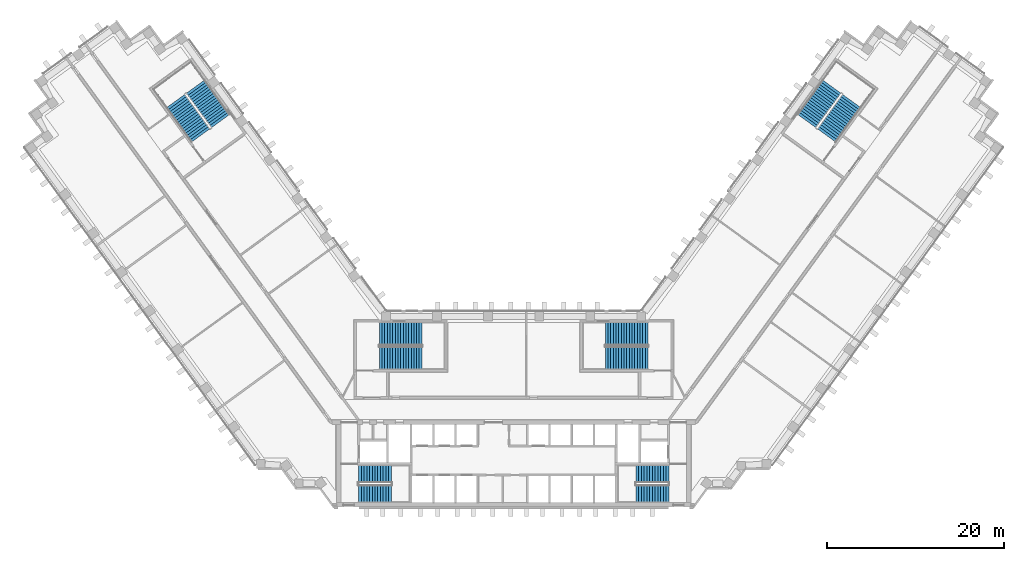
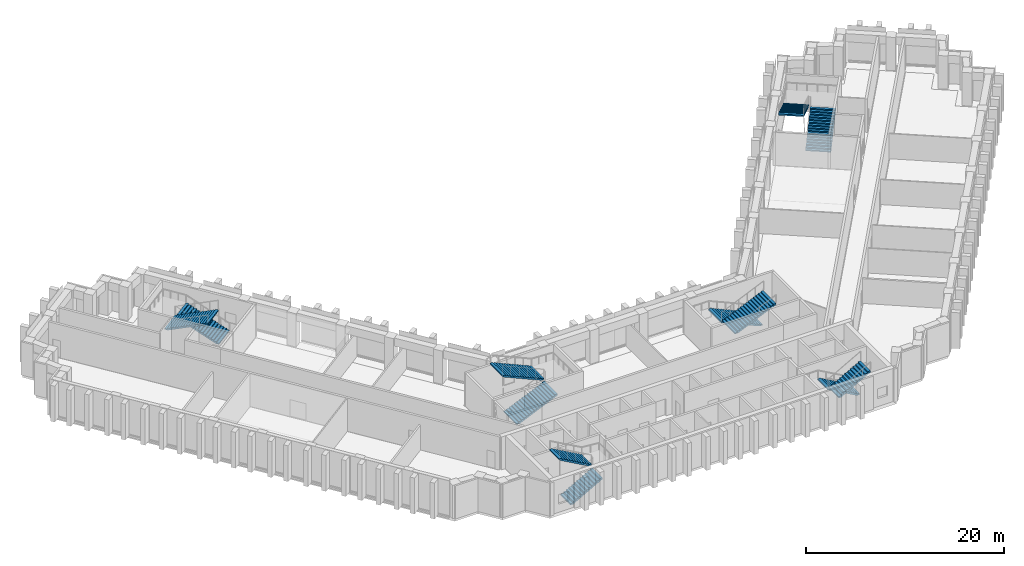
# One storey, part 12 of 15: 12 stair flights, 6 elements without a shape of their own.
"""IFC4 building model written with IfcOpenShell, lengths in metres."""

from ifc_helpers import new_model, si_unit, direction, frame, origin, place, context, subcontext, project, spatial, polyline, outline, extrude, material, type_object, element, aggregate, save


model = new_model("IFC4")

# Units and contexts
model_context = context("Model", 3, precision=1e-05, world=origin(), true_north=direction((0.0, 1.0)))
body_context = subcontext(model_context, "Body", "Model", "MODEL_VIEW")
ifc_project = project(units=[si_unit("LENGTHUNIT", "METRE"), si_unit("AREAUNIT", "SQUARE_METRE"), si_unit("VOLUMEUNIT", "CUBIC_METRE"), si_unit("PLANEANGLEUNIT", "RADIAN"), si_unit("MASSUNIT", "GRAM", prefix="KILO")], contexts=[model_context])

# Site, building, storey
site_placement = place(None, origin())
site = spatial("IfcSite", under=ifc_project, at=site_placement, CompositionType="ELEMENT")
building_placement = place(site_placement, origin())
building = spatial("IfcBuilding", under=site, at=building_placement, Name="Quipu Civic Tower", CompositionType="ELEMENT")
storey_placement = place(building_placement, frame((0.0, 0.0, 11.5)))
storey = spatial("IfcBuildingStorey", under=building, at=storey_placement, Name="L02", CompositionType="ELEMENT", Elevation=11.5)

# Stair, stair flights
ifc_material_1 = material(Name="Concrete C40/50", Category="concrete")
stair_type_1 = type_object("IfcStairType", Name="Half turn stair 2000", PredefinedType="HALF_TURN_STAIR", material=ifc_material_1)
stair_1_placement = place(storey_placement, origin())
stair_1 = element("IfcStair", 1, at=stair_1_placement, inside=storey, type_object=stair_type_1, Name="Exit stair 1", PredefinedType="HALF_TURN_STAIR")
ifc_material_2 = material(Name="Concrete C40/50", Category="concrete")
stair_flight_type_1 = type_object("IfcStairFlightType", Name="Stair flight 2000", PredefinedType="STRAIGHT", material=ifc_material_2)
stair_flight_1_placement = place(storey_placement, frame((-17.5, -9.5, 0.0), z_axis=(0.0, 0.0, 1.0), x_axis=(1.0, 0.0, 0.0)))
stair_flight_1 = element("IfcStairFlight", 2, at=stair_flight_1_placement, type_object=stair_flight_type_1, Name="ST-1 flight 1", NumberOfRisers=13, NumberOfTreads=12, PredefinedType="STRAIGHT", RiserHeight=0.173076923, TreadLength=0.31, context=body_context, shape_type="SweptSolid", body=[
    extrude(outline(polyline([(0.0, 0.0), (0.0, 0.173095703125), (0.31005859375, 0.173095703125), (0.31005859375, 0.34619140625), (0.6201171875, 0.34619140625), (0.6201171875, 0.519287109375), (0.929931640625, 0.519287109375), (0.929931640625, 0.6923828125), (1.239990234375, 0.6923828125), (1.239990234375, 0.865478515625), (1.550048828125, 0.865478515625), (1.550048828125, 1.03857421875), (1.860107421875, 1.03857421875), (1.860107421875, 1.21142578125), (2.169921875, 1.21142578125), (2.169921875, 1.384521484375), (2.47998046875, 1.384521484375), (2.47998046875, 1.5576171875), (2.7900390625, 1.5576171875), (2.7900390625, 1.730712890625), (3.10009765625, 1.730712890625), (3.10009765625, 1.90380859375), (3.409912109375, 1.90380859375), (3.409912109375, 2.076904296875), (3.719970703125, 2.076904296875), (3.719970703125, 2.25), (3.719970703125, 1.9052734375), (0.3076171875, 0.0), (0.0, 0.0)])), frame((0.0, 1.0, 0.0), z_axis=(0.0, -1.0, 0.0), x_axis=(1.0, 0.0, 0.0)), (0.0, 0.0, 1.0), 2.0),
])
stair_flight_2_placement = place(storey_placement, frame((-13.780029296875, -7.25, 2.25), z_axis=(0.0, 0.0, 1.0), x_axis=(-1.0, 0.0, 0.0)))
stair_flight_2 = element("IfcStairFlight", 3, at=stair_flight_2_placement, type_object=stair_flight_type_1, Name="ST-1 flight 2", NumberOfRisers=13, NumberOfTreads=12, PredefinedType="STRAIGHT", RiserHeight=0.173076923, TreadLength=0.31, context=body_context, shape_type="SweptSolid", body=[
    extrude(outline(polyline([(0.0, 0.0), (0.0, 0.173095703125), (0.31005859375, 0.173095703125), (0.31005859375, 0.34619140625), (0.6201171875, 0.34619140625), (0.6201171875, 0.519287109375), (0.929931640625, 0.519287109375), (0.929931640625, 0.6923828125), (1.239990234375, 0.6923828125), (1.239990234375, 0.865478515625), (1.550048828125, 0.865478515625), (1.550048828125, 1.03857421875), (1.860107421875, 1.03857421875), (1.860107421875, 1.21142578125), (2.169921875, 1.21142578125), (2.169921875, 1.384521484375), (2.47998046875, 1.384521484375), (2.47998046875, 1.5576171875), (2.7900390625, 1.5576171875), (2.7900390625, 1.730712890625), (3.10009765625, 1.730712890625), (3.10009765625, 1.90380859375), (3.409912109375, 1.90380859375), (3.409912109375, 2.076904296875), (3.719970703125, 2.076904296875), (3.719970703125, 2.25), (3.719970703125, 1.9052734375), (0.3076171875, 0.0), (0.0, 0.0)])), frame((0.0, 1.0, 0.0), z_axis=(0.0, -1.0, 0.0), x_axis=(1.0, 0.0, 0.0)), (0.0, 0.0, 1.0), 2.0),
])
aggregate(stair_1, [stair_flight_1, stair_flight_2])

stair_2_placement = place(storey_placement, origin())
stair_2 = element("IfcStair", 4, at=stair_2_placement, inside=storey, type_object=stair_type_1, Name="Exit stair 2", PredefinedType="HALF_TURN_STAIR")
stair_flight_3_placement = place(storey_placement, frame((17.5, -7.25, 0.0), z_axis=(0.0, 0.0, 1.0), x_axis=(-1.0, 0.0, 0.0)))
stair_flight_3 = element("IfcStairFlight", 5, at=stair_flight_3_placement, type_object=stair_flight_type_1, Name="ST-2 flight 1", NumberOfRisers=13, NumberOfTreads=12, PredefinedType="STRAIGHT", RiserHeight=0.173076923, TreadLength=0.31, context=body_context, shape_type="SweptSolid", body=[
    extrude(outline(polyline([(0.0, 0.0), (0.0, 0.173095703125), (0.31005859375, 0.173095703125), (0.31005859375, 0.34619140625), (0.6201171875, 0.34619140625), (0.6201171875, 0.519287109375), (0.929931640625, 0.519287109375), (0.929931640625, 0.6923828125), (1.239990234375, 0.6923828125), (1.239990234375, 0.865478515625), (1.550048828125, 0.865478515625), (1.550048828125, 1.03857421875), (1.860107421875, 1.03857421875), (1.860107421875, 1.21142578125), (2.169921875, 1.21142578125), (2.169921875, 1.384521484375), (2.47998046875, 1.384521484375), (2.47998046875, 1.5576171875), (2.7900390625, 1.5576171875), (2.7900390625, 1.730712890625), (3.10009765625, 1.730712890625), (3.10009765625, 1.90380859375), (3.409912109375, 1.90380859375), (3.409912109375, 2.076904296875), (3.719970703125, 2.076904296875), (3.719970703125, 2.25), (3.719970703125, 1.9052734375), (0.3076171875, 0.0), (0.0, 0.0)])), frame((0.0, 1.0, 0.0), z_axis=(0.0, -1.0, 0.0), x_axis=(1.0, 0.0, 0.0)), (0.0, 0.0, 1.0), 2.0),
])
stair_flight_4_placement = place(storey_placement, frame((13.780029296875, -9.5, 2.25), z_axis=(0.0, 0.0, 1.0), x_axis=(1.0, 0.0, 0.0)))
stair_flight_4 = element("IfcStairFlight", 6, at=stair_flight_4_placement, type_object=stair_flight_type_1, Name="ST-2 flight 2", NumberOfRisers=13, NumberOfTreads=12, PredefinedType="STRAIGHT", RiserHeight=0.173076923, TreadLength=0.31, context=body_context, shape_type="SweptSolid", body=[
    extrude(outline(polyline([(0.0, 0.0), (0.0, 0.173095703125), (0.31005859375, 0.173095703125), (0.31005859375, 0.34619140625), (0.6201171875, 0.34619140625), (0.6201171875, 0.519287109375), (0.929931640625, 0.519287109375), (0.929931640625, 0.6923828125), (1.239990234375, 0.6923828125), (1.239990234375, 0.865478515625), (1.550048828125, 0.865478515625), (1.550048828125, 1.03857421875), (1.860107421875, 1.03857421875), (1.860107421875, 1.21142578125), (2.169921875, 1.21142578125), (2.169921875, 1.384521484375), (2.47998046875, 1.384521484375), (2.47998046875, 1.5576171875), (2.7900390625, 1.5576171875), (2.7900390625, 1.730712890625), (3.10009765625, 1.730712890625), (3.10009765625, 1.90380859375), (3.409912109375, 1.90380859375), (3.409912109375, 2.076904296875), (3.719970703125, 2.076904296875), (3.719970703125, 2.25), (3.719970703125, 1.9052734375), (0.3076171875, 0.0), (0.0, 0.0)])), frame((0.0, 1.0, 0.0), z_axis=(0.0, -1.0, 0.0), x_axis=(1.0, 0.0, 0.0)), (0.0, 0.0, 1.0), 2.0),
])
aggregate(stair_2, [stair_flight_3, stair_flight_4])

ifc_material_3 = material(Name="Concrete C40/50", Category="concrete")
stair_type_2 = type_object("IfcStairType", Name="Half turn stair 2600", PredefinedType="HALF_TURN_STAIR", material=ifc_material_3)
stair_3_placement = place(storey_placement, origin())
stair_3 = element("IfcStair", 7, at=stair_3_placement, inside=storey, type_object=stair_type_2, Name="Exit stair 3", PredefinedType="HALF_TURN_STAIR")
ifc_material_4 = material(Name="Concrete C40/50", Category="concrete")
stair_flight_type_2 = type_object("IfcStairFlightType", Name="Stair flight 2600", PredefinedType="STRAIGHT", material=ifc_material_4)
stair_flight_5_placement = place(storey_placement, frame((-15.14990234375, 5.800048828125, 0.0), z_axis=(0.0, 0.0, 1.0), x_axis=(1.0, 0.0, 0.0)))
stair_flight_5 = element("IfcStairFlight", 8, at=stair_flight_5_placement, type_object=stair_flight_type_2, Name="ST-3 flight 1", NumberOfRisers=17, NumberOfTreads=16, PredefinedType="STRAIGHT", RiserHeight=0.132352941, TreadLength=0.3, context=body_context, shape_type="SweptSolid", body=[
    extrude(outline(polyline([(0.0, 0.0), (0.0, 0.13232421875), (0.300048828125, 0.13232421875), (0.300048828125, 0.2646484375), (0.60009765625, 0.2646484375), (0.60009765625, 0.39697265625), (0.89990234375, 0.39697265625), (0.89990234375, 0.529296875), (1.199951171875, 0.529296875), (1.199951171875, 0.661865234375), (1.5, 0.661865234375), (1.5, 0.794189453125), (1.800048828125, 0.794189453125), (1.800048828125, 0.926513671875), (2.10009765625, 0.926513671875), (2.10009765625, 1.058837890625), (2.39990234375, 1.058837890625), (2.39990234375, 1.191162109375), (2.699951171875, 1.191162109375), (2.699951171875, 1.323486328125), (3.0, 1.323486328125), (3.0, 1.455810546875), (3.300048828125, 1.455810546875), (3.300048828125, 1.588134765625), (3.60009765625, 1.588134765625), (3.60009765625, 1.720703125), (3.89990234375, 1.720703125), (3.89990234375, 1.85302734375), (4.199951171875, 1.85302734375), (4.199951171875, 1.9853515625), (4.5, 1.9853515625), (4.5, 2.11767578125), (4.800048828125, 2.11767578125), (4.800048828125, 2.25), (4.800048828125, 1.953857421875), (0.371337890625, 0.0), (0.0, 0.0)])), frame((0.0, 1.300048828125, 0.0), z_axis=(0.0, -1.0, 0.0), x_axis=(1.0, 0.0, 0.0)), (0.0, 0.0, 1.0), 2.60009765625),
])
stair_flight_6_placement = place(storey_placement, frame((-10.35009765625, 8.550048828125, 2.25), z_axis=(0.0, 0.0, 1.0), x_axis=(-1.0, 0.0, 0.0)))
stair_flight_6 = element("IfcStairFlight", 9, at=stair_flight_6_placement, type_object=stair_flight_type_2, Name="ST-3 flight 2", NumberOfRisers=17, NumberOfTreads=16, PredefinedType="STRAIGHT", RiserHeight=0.132352941, TreadLength=0.3, context=body_context, shape_type="SweptSolid", body=[
    extrude(outline(polyline([(0.0, 0.0), (0.0, 0.13232421875), (0.300048828125, 0.13232421875), (0.300048828125, 0.2646484375), (0.60009765625, 0.2646484375), (0.60009765625, 0.39697265625), (0.89990234375, 0.39697265625), (0.89990234375, 0.529296875), (1.199951171875, 0.529296875), (1.199951171875, 0.661865234375), (1.5, 0.661865234375), (1.5, 0.794189453125), (1.800048828125, 0.794189453125), (1.800048828125, 0.926513671875), (2.10009765625, 0.926513671875), (2.10009765625, 1.058837890625), (2.39990234375, 1.058837890625), (2.39990234375, 1.191162109375), (2.699951171875, 1.191162109375), (2.699951171875, 1.323486328125), (3.0, 1.323486328125), (3.0, 1.455810546875), (3.300048828125, 1.455810546875), (3.300048828125, 1.588134765625), (3.60009765625, 1.588134765625), (3.60009765625, 1.720703125), (3.89990234375, 1.720703125), (3.89990234375, 1.85302734375), (4.199951171875, 1.85302734375), (4.199951171875, 1.9853515625), (4.5, 1.9853515625), (4.5, 2.11767578125), (4.800048828125, 2.11767578125), (4.800048828125, 2.25), (4.800048828125, 1.953857421875), (0.371337890625, 0.0), (0.0, 0.0)])), frame((0.0, 1.300048828125, 0.0), z_axis=(0.0, -1.0, 0.0), x_axis=(1.0, 0.0, 0.0)), (0.0, 0.0, 1.0), 2.60009765625),
])
aggregate(stair_3, [stair_flight_5, stair_flight_6])

stair_4_placement = place(storey_placement, origin())
stair_4 = element("IfcStair", 10, at=stair_4_placement, inside=storey, type_object=stair_type_2, Name="Exit stair 4", PredefinedType="HALF_TURN_STAIR")
stair_flight_7_placement = place(storey_placement, frame((15.14990234375, 8.550048828125, 0.0), z_axis=(0.0, 0.0, 1.0), x_axis=(-1.0, 0.0, 0.0)))
stair_flight_7 = element("IfcStairFlight", 11, at=stair_flight_7_placement, type_object=stair_flight_type_2, Name="ST-4 flight 1", NumberOfRisers=17, NumberOfTreads=16, PredefinedType="STRAIGHT", RiserHeight=0.132352941, TreadLength=0.3, context=body_context, shape_type="SweptSolid", body=[
    extrude(outline(polyline([(0.0, 0.0), (0.0, 0.13232421875), (0.300048828125, 0.13232421875), (0.300048828125, 0.2646484375), (0.60009765625, 0.2646484375), (0.60009765625, 0.39697265625), (0.89990234375, 0.39697265625), (0.89990234375, 0.529296875), (1.199951171875, 0.529296875), (1.199951171875, 0.661865234375), (1.5, 0.661865234375), (1.5, 0.794189453125), (1.800048828125, 0.794189453125), (1.800048828125, 0.926513671875), (2.10009765625, 0.926513671875), (2.10009765625, 1.058837890625), (2.39990234375, 1.058837890625), (2.39990234375, 1.191162109375), (2.699951171875, 1.191162109375), (2.699951171875, 1.323486328125), (3.0, 1.323486328125), (3.0, 1.455810546875), (3.300048828125, 1.455810546875), (3.300048828125, 1.588134765625), (3.60009765625, 1.588134765625), (3.60009765625, 1.720703125), (3.89990234375, 1.720703125), (3.89990234375, 1.85302734375), (4.199951171875, 1.85302734375), (4.199951171875, 1.9853515625), (4.5, 1.9853515625), (4.5, 2.11767578125), (4.800048828125, 2.11767578125), (4.800048828125, 2.25), (4.800048828125, 1.953857421875), (0.371337890625, 0.0), (0.0, 0.0)])), frame((0.0, 1.300048828125, 0.0), z_axis=(0.0, -1.0, 0.0), x_axis=(1.0, 0.0, 0.0)), (0.0, 0.0, 1.0), 2.60009765625),
])
stair_flight_8_placement = place(storey_placement, frame((10.35009765625, 5.800048828125, 2.25), z_axis=(0.0, 0.0, 1.0), x_axis=(1.0, 0.0, 0.0)))
stair_flight_8 = element("IfcStairFlight", 12, at=stair_flight_8_placement, type_object=stair_flight_type_2, Name="ST-4 flight 2", NumberOfRisers=17, NumberOfTreads=16, PredefinedType="STRAIGHT", RiserHeight=0.132352941, TreadLength=0.3, context=body_context, shape_type="SweptSolid", body=[
    extrude(outline(polyline([(0.0, 0.0), (0.0, 0.13232421875), (0.300048828125, 0.13232421875), (0.300048828125, 0.2646484375), (0.60009765625, 0.2646484375), (0.60009765625, 0.39697265625), (0.89990234375, 0.39697265625), (0.89990234375, 0.529296875), (1.199951171875, 0.529296875), (1.199951171875, 0.661865234375), (1.5, 0.661865234375), (1.5, 0.794189453125), (1.800048828125, 0.794189453125), (1.800048828125, 0.926513671875), (2.10009765625, 0.926513671875), (2.10009765625, 1.058837890625), (2.39990234375, 1.058837890625), (2.39990234375, 1.191162109375), (2.699951171875, 1.191162109375), (2.699951171875, 1.323486328125), (3.0, 1.323486328125), (3.0, 1.455810546875), (3.300048828125, 1.455810546875), (3.300048828125, 1.588134765625), (3.60009765625, 1.588134765625), (3.60009765625, 1.720703125), (3.89990234375, 1.720703125), (3.89990234375, 1.85302734375), (4.199951171875, 1.85302734375), (4.199951171875, 1.9853515625), (4.5, 1.9853515625), (4.5, 2.11767578125), (4.800048828125, 2.11767578125), (4.800048828125, 2.25), (4.800048828125, 1.953857421875), (0.371337890625, 0.0), (0.0, 0.0)])), frame((0.0, 1.300048828125, 0.0), z_axis=(0.0, -1.0, 0.0), x_axis=(1.0, 0.0, 0.0)), (0.0, 0.0, 1.0), 2.60009765625),
])
aggregate(stair_4, [stair_flight_7, stair_flight_8])

stair_5_placement = place(storey_placement, origin())
stair_5 = element("IfcStair", 13, at=stair_5_placement, inside=storey, type_object=stair_type_2, Name="Exit stair 6", PredefinedType="HALF_TURN_STAIR")
stair_flight_9_placement = place(storey_placement, frame((-33.067626953125, 32.5322265625, 0.0), z_axis=(0.0, 0.0, 1.0), x_axis=(-0.587785252292, 0.809016994375, 0.0)))
stair_flight_9 = element("IfcStairFlight", 14, at=stair_flight_9_placement, type_object=stair_flight_type_2, Name="ST-6 flight 1", NumberOfRisers=17, NumberOfTreads=16, PredefinedType="STRAIGHT", RiserHeight=0.132352941, TreadLength=0.3, context=body_context, shape_type="SweptSolid", body=[
    extrude(outline(polyline([(0.0, 0.0), (0.0, 0.13232421875), (0.300048828125, 0.13232421875), (0.300048828125, 0.2646484375), (0.60009765625, 0.2646484375), (0.60009765625, 0.39697265625), (0.89990234375, 0.39697265625), (0.89990234375, 0.529296875), (1.199951171875, 0.529296875), (1.199951171875, 0.661865234375), (1.5, 0.661865234375), (1.5, 0.794189453125), (1.800048828125, 0.794189453125), (1.800048828125, 0.926513671875), (2.10009765625, 0.926513671875), (2.10009765625, 1.058837890625), (2.39990234375, 1.058837890625), (2.39990234375, 1.191162109375), (2.699951171875, 1.191162109375), (2.699951171875, 1.323486328125), (3.0, 1.323486328125), (3.0, 1.455810546875), (3.300048828125, 1.455810546875), (3.300048828125, 1.588134765625), (3.60009765625, 1.588134765625), (3.60009765625, 1.720703125), (3.89990234375, 1.720703125), (3.89990234375, 1.85302734375), (4.199951171875, 1.85302734375), (4.199951171875, 1.9853515625), (4.5, 1.9853515625), (4.5, 2.11767578125), (4.800048828125, 2.11767578125), (4.800048828125, 2.25), (4.800048828125, 1.953857421875), (0.371337890625, 0.0), (0.0, 0.0)])), frame((0.0, 1.300048828125, 0.0), z_axis=(0.0, -1.0, 0.0), x_axis=(1.0, 0.0, 0.0)), (0.0, 0.0, 1.0), 2.60009765625),
])
stair_flight_10_placement = place(storey_placement, frame((-38.11376953125, 34.799072265625, 2.25), z_axis=(0.0, 0.0, 1.0), x_axis=(0.587785252292, -0.809016994375, 0.0)))
stair_flight_10 = element("IfcStairFlight", 15, at=stair_flight_10_placement, type_object=stair_flight_type_2, Name="ST-6 flight 2", NumberOfRisers=17, NumberOfTreads=16, PredefinedType="STRAIGHT", RiserHeight=0.132352941, TreadLength=0.3, context=body_context, shape_type="SweptSolid", body=[
    extrude(outline(polyline([(0.0, 0.0), (0.0, 0.13232421875), (0.300048828125, 0.13232421875), (0.300048828125, 0.2646484375), (0.60009765625, 0.2646484375), (0.60009765625, 0.39697265625), (0.89990234375, 0.39697265625), (0.89990234375, 0.529296875), (1.199951171875, 0.529296875), (1.199951171875, 0.661865234375), (1.5, 0.661865234375), (1.5, 0.794189453125), (1.800048828125, 0.794189453125), (1.800048828125, 0.926513671875), (2.10009765625, 0.926513671875), (2.10009765625, 1.058837890625), (2.39990234375, 1.058837890625), (2.39990234375, 1.191162109375), (2.699951171875, 1.191162109375), (2.699951171875, 1.323486328125), (3.0, 1.323486328125), (3.0, 1.455810546875), (3.300048828125, 1.455810546875), (3.300048828125, 1.588134765625), (3.60009765625, 1.588134765625), (3.60009765625, 1.720703125), (3.89990234375, 1.720703125), (3.89990234375, 1.85302734375), (4.199951171875, 1.85302734375), (4.199951171875, 1.9853515625), (4.5, 1.9853515625), (4.5, 2.11767578125), (4.800048828125, 2.11767578125), (4.800048828125, 2.25), (4.800048828125, 1.953857421875), (0.371337890625, 0.0), (0.0, 0.0)])), frame((0.0, 1.300048828125, 0.0), z_axis=(0.0, -1.0, 0.0), x_axis=(1.0, 0.0, 0.0)), (0.0, 0.0, 1.0), 2.60009765625),
])
aggregate(stair_5, [stair_flight_9, stair_flight_10])

stair_6_placement = place(storey_placement, origin())
stair_6 = element("IfcStair", 16, at=stair_6_placement, inside=storey, type_object=stair_type_2, Name="Exit stair 7", PredefinedType="HALF_TURN_STAIR")
stair_flight_11_placement = place(storey_placement, frame((35.29248046875, 30.915771484375, 0.0), z_axis=(0.0, 0.0, 1.0), x_axis=(0.587785252292, 0.809016994375, 0.0)))
stair_flight_11 = element("IfcStairFlight", 17, at=stair_flight_11_placement, type_object=stair_flight_type_2, Name="ST-7 flight 1", NumberOfRisers=17, NumberOfTreads=16, PredefinedType="STRAIGHT", RiserHeight=0.132352941, TreadLength=0.3, context=body_context, shape_type="SweptSolid", body=[
    extrude(outline(polyline([(0.0, 0.0), (0.0, 0.13232421875), (0.300048828125, 0.13232421875), (0.300048828125, 0.2646484375), (0.60009765625, 0.2646484375), (0.60009765625, 0.39697265625), (0.89990234375, 0.39697265625), (0.89990234375, 0.529296875), (1.199951171875, 0.529296875), (1.199951171875, 0.661865234375), (1.5, 0.661865234375), (1.5, 0.794189453125), (1.800048828125, 0.794189453125), (1.800048828125, 0.926513671875), (2.10009765625, 0.926513671875), (2.10009765625, 1.058837890625), (2.39990234375, 1.058837890625), (2.39990234375, 1.191162109375), (2.699951171875, 1.191162109375), (2.699951171875, 1.323486328125), (3.0, 1.323486328125), (3.0, 1.455810546875), (3.300048828125, 1.455810546875), (3.300048828125, 1.588134765625), (3.60009765625, 1.588134765625), (3.60009765625, 1.720703125), (3.89990234375, 1.720703125), (3.89990234375, 1.85302734375), (4.199951171875, 1.85302734375), (4.199951171875, 1.9853515625), (4.5, 1.9853515625), (4.5, 2.11767578125), (4.800048828125, 2.11767578125), (4.800048828125, 2.25), (4.800048828125, 1.953857421875), (0.371337890625, 0.0), (0.0, 0.0)])), frame((0.0, 1.300048828125, 0.0), z_axis=(0.0, -1.0, 0.0), x_axis=(1.0, 0.0, 0.0)), (0.0, 0.0, 1.0), 2.60009765625),
])
stair_flight_12_placement = place(storey_placement, frame((35.888916015625, 36.41552734375, 2.25), z_axis=(0.0, 0.0, 1.0), x_axis=(-0.587785252292, -0.809016994375, 0.0)))
stair_flight_12 = element("IfcStairFlight", 18, at=stair_flight_12_placement, type_object=stair_flight_type_2, Name="ST-7 flight 2", NumberOfRisers=17, NumberOfTreads=16, PredefinedType="STRAIGHT", RiserHeight=0.132352941, TreadLength=0.3, context=body_context, shape_type="SweptSolid", body=[
    extrude(outline(polyline([(0.0, 0.0), (0.0, 0.13232421875), (0.300048828125, 0.13232421875), (0.300048828125, 0.2646484375), (0.60009765625, 0.2646484375), (0.60009765625, 0.39697265625), (0.89990234375, 0.39697265625), (0.89990234375, 0.529296875), (1.199951171875, 0.529296875), (1.199951171875, 0.661865234375), (1.5, 0.661865234375), (1.5, 0.794189453125), (1.800048828125, 0.794189453125), (1.800048828125, 0.926513671875), (2.10009765625, 0.926513671875), (2.10009765625, 1.058837890625), (2.39990234375, 1.058837890625), (2.39990234375, 1.191162109375), (2.699951171875, 1.191162109375), (2.699951171875, 1.323486328125), (3.0, 1.323486328125), (3.0, 1.455810546875), (3.300048828125, 1.455810546875), (3.300048828125, 1.588134765625), (3.60009765625, 1.588134765625), (3.60009765625, 1.720703125), (3.89990234375, 1.720703125), (3.89990234375, 1.85302734375), (4.199951171875, 1.85302734375), (4.199951171875, 1.9853515625), (4.5, 1.9853515625), (4.5, 2.11767578125), (4.800048828125, 2.11767578125), (4.800048828125, 2.25), (4.800048828125, 1.953857421875), (0.371337890625, 0.0), (0.0, 0.0)])), frame((0.0, 1.300048828125, 0.0), z_axis=(0.0, -1.0, 0.0), x_axis=(1.0, 0.0, 0.0)), (0.0, 0.0, 1.0), 2.60009765625),
])
aggregate(stair_6, [stair_flight_11, stair_flight_12])

save(model, "model.ifc")
